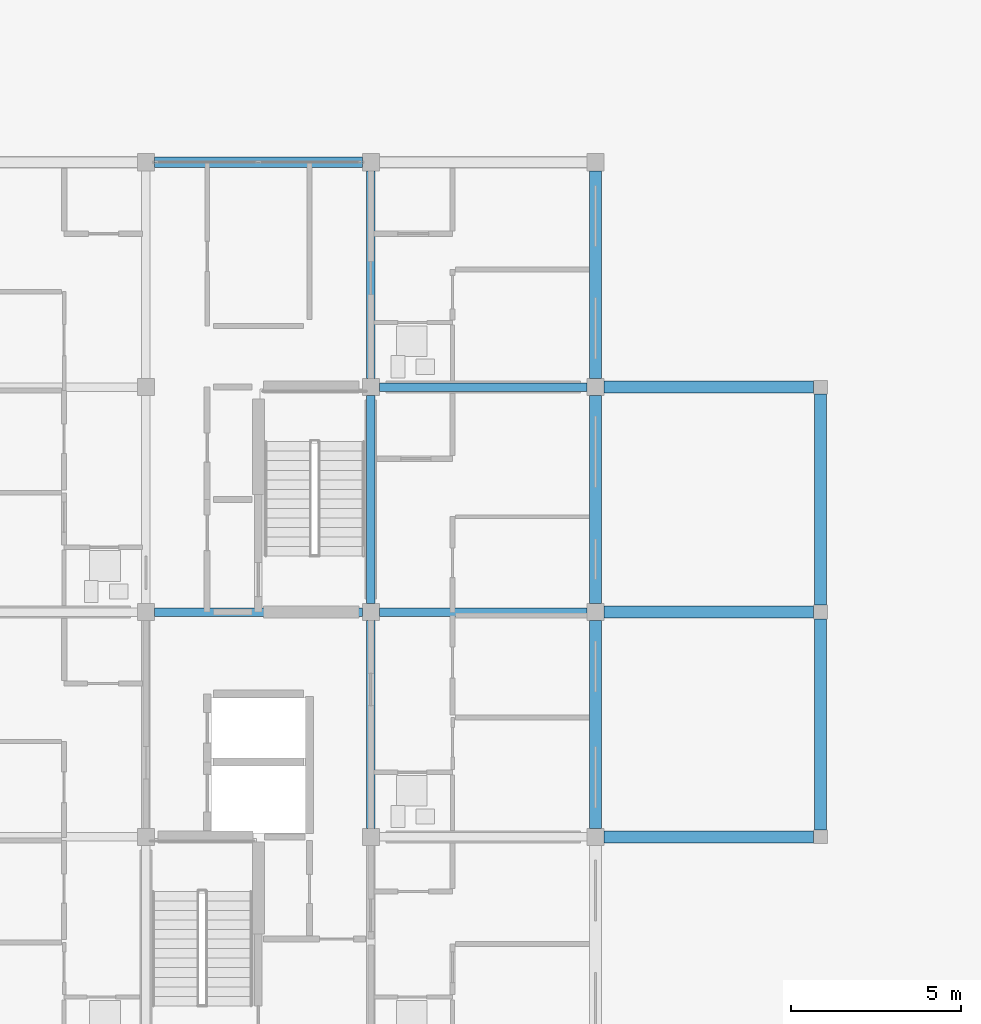
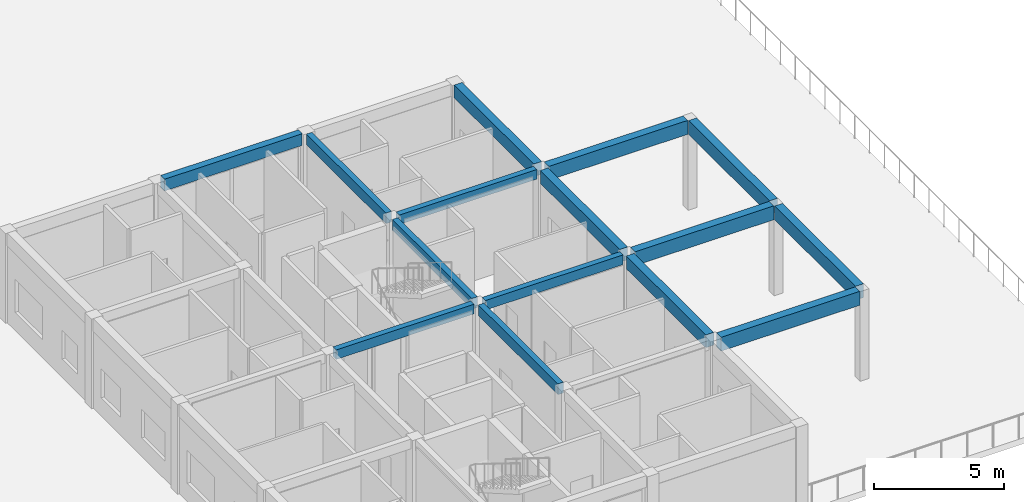
# One storey, part 44 of 92: 15 beams.
"""IFC4 building model written with IfcOpenShell, lengths in metres."""

from ifc_helpers import new_model, si_unit, direction, frame, origin, origin_2d, place, context, subcontext, project, spatial, rectangle, extrude, material, material_profile, profile_set, type_object, element, save


model = new_model("IFC4")

# Units and contexts
model_context = context("Model", 3, precision=1e-05, world=origin(), true_north=direction((0.0, 1.0)))
body_context = subcontext(model_context, "Body", "Model", "MODEL_VIEW")
ifc_project = project(units=[si_unit("LENGTHUNIT", "METRE"), si_unit("AREAUNIT", "SQUARE_METRE"), si_unit("VOLUMEUNIT", "CUBIC_METRE"), si_unit("PLANEANGLEUNIT", "RADIAN"), si_unit("MASSUNIT", "GRAM", prefix="KILO")], contexts=[model_context])

# Site, building, storey
site_placement = place(None, origin())
site = spatial("IfcSite", under=ifc_project, at=site_placement, CompositionType="ELEMENT")
building_placement = place(site_placement, origin())
building = spatial("IfcBuilding", under=site, at=building_placement, Name="Kernevlak Ridge Housing Community", CompositionType="ELEMENT")
storey_placement = place(building_placement, frame((0.0, 0.0, 4.199951171875)))
storey = spatial("IfcBuildingStorey", under=building, at=storey_placement, Name="L01", CompositionType="ELEMENT", Elevation=4.199951171875)

# Beams
ifc_material = material(Name="Concrete C35/45", Category="concrete")
ifc_material_profile_1 = material_profile(ifc_material, rectangle(XDim=0.35009765625, YDim=0.64990234375, at=origin_2d()), Name="RC 350x650")
ifc_profile_set_1 = profile_set([ifc_material_profile_1], Name="Concrete C35/45")
beam_type_1 = type_object("IfcBeamType", Name="B-02", PredefinedType="BEAM", material=ifc_profile_set_1)
for number, where, z_axis, x_axis, name in (
    (1, (146.050048828125, 22.199951171875, 3.875), (1.0, 0.0, 0.0), (0.0, 1.0, 0.0), "Beam B-02 L01 2402"),
    (2, (146.050048828125, 28.800048828125, 3.875), (1.0, 0.0, 0.0), (0.0, 1.0, 0.0), "Beam B-02 L01 2403"),
    (3, (146.050048828125, 35.39990234375, 3.875), (1.0, 0.0, 0.0), (0.0, 1.0, 0.0), "Beam B-02 L01 2404"),
):
    element("IfcBeam", number, at=place(storey_placement, frame(where, z_axis=z_axis, x_axis=x_axis)), inside=storey, type_object=beam_type_1, Name=name, PredefinedType="BEAM", context=body_context, shape_type="SweptSolid", body=[
        extrude(rectangle(XDim=0.35009765625, YDim=0.64990234375, at=origin_2d()), origin(), (0.0, 0.0, 1.0), 6.14990234375),
    ])
beam_1_placement = place(storey_placement, frame((152.39990234375, 22.39990234375, 3.875), z_axis=(0.0, 1.0, 0.0), x_axis=(-1.0, 0.0, 0.0)))
element("IfcBeam", 4, at=beam_1_placement, inside=storey, type_object=beam_type_1, Name="Beam B-02 L01 2457", PredefinedType="BEAM", context=body_context, shape_type="SweptSolid", body=[
    extrude(rectangle(XDim=0.35009765625, YDim=0.64990234375, at=origin_2d()), origin(), (0.0, 0.0, 1.0), 6.2001953125),
])
beam_2_placement = place(storey_placement, frame((152.39990234375, 29.0, 3.875), z_axis=(0.0, 1.0, 0.0), x_axis=(-1.0, 0.0, 0.0)))
element("IfcBeam", 5, at=beam_2_placement, inside=storey, type_object=beam_type_1, Name="Beam B-02 L01 2458", PredefinedType="BEAM", context=body_context, shape_type="SweptSolid", body=[
    extrude(rectangle(XDim=0.35009765625, YDim=0.64990234375, at=origin_2d()), origin(), (0.0, 0.0, 1.0), 6.199951171875),
])
ifc_material_profile_2 = material_profile(ifc_material, rectangle(XDim=0.25, YDim=0.449951171875, at=origin_2d()), Name="RC 250x450")
ifc_profile_set_2 = profile_set([ifc_material_profile_2], Name="Concrete C35/45")
beam_type_2 = type_object("IfcBeamType", Name="B-04", PredefinedType="T_BEAM", material=ifc_profile_set_2)
beam_3_placement = place(storey_placement, frame((132.85009765625, 28.800048828125, 3.97509765625), z_axis=(1.0, 0.0, 0.0), x_axis=(0.0, 1.0, 0.0)))
element("IfcBeam", 6, at=beam_3_placement, inside=storey, type_object=beam_type_2, Name="Beam B-04 L01 1039", PredefinedType="T_BEAM", context=body_context, shape_type="SweptSolid", body=[
    extrude(rectangle(XDim=0.25, YDim=0.449951171875, at=origin_2d()), origin(), (0.0, 0.0, 1.0), 6.099853515625),
])
for number, where, z_axis, x_axis, name in (
    (7, (139.449951171875, 28.800048828125, 3.97509765625), (1.0, 0.0, 0.0), (0.0, 1.0, 0.0), "Beam B-04 L01 1040"),
    (8, (139.449951171875, 35.39990234375, 3.97509765625), (1.0, 0.0, 0.0), (0.0, 1.0, 0.0), "Beam B-04 L01 1042"),
):
    element("IfcBeam", number, at=place(storey_placement, frame(where, z_axis=z_axis, x_axis=x_axis)), inside=storey, type_object=beam_type_2, Name=name, PredefinedType="T_BEAM", context=body_context, shape_type="SweptSolid", body=[
        extrude(rectangle(XDim=0.25, YDim=0.449951171875, at=origin_2d()), origin(), (0.0, 0.0, 1.0), 6.10009765625),
    ])
ifc_material_profile_3 = material_profile(ifc_material, rectangle(XDim=0.25, YDim=0.5, at=origin_2d()), Name="RC 250x500")
ifc_profile_set_3 = profile_set([ifc_material_profile_3], Name="Concrete C35/45")
beam_type_3 = type_object("IfcBeamType", Name="B-06", PredefinedType="T_BEAM", material=ifc_profile_set_3)
beam_4_placement = place(storey_placement, frame((139.199951171875, 22.449951171875, 3.949951171875), z_axis=(0.0, 1.0, 0.0), x_axis=(-1.0, 0.0, 0.0)))
element("IfcBeam", 9, at=beam_4_placement, inside=storey, type_object=beam_type_3, Name="Beam B-06 L01 1026", PredefinedType="T_BEAM", context=body_context, shape_type="SweptSolid", body=[
    extrude(rectangle(XDim=0.25, YDim=0.5, at=origin_2d()), origin(), (0.0, 0.0, 1.0), 6.10009765625),
])
beam_5_placement = place(storey_placement, frame((139.199951171875, 29.050048828125, 3.949951171875), z_axis=(0.0, 1.0, 0.0), x_axis=(-1.0, 0.0, 0.0)))
element("IfcBeam", 10, at=beam_5_placement, inside=storey, type_object=beam_type_3, Name="Beam B-06 L01 1027", PredefinedType="T_BEAM", context=body_context, shape_type="SweptSolid", body=[
    extrude(rectangle(XDim=0.25, YDim=0.5, at=origin_2d()), origin(), (0.0, 0.0, 1.0), 6.099853515625),
])
beam_6_placement = place(storey_placement, frame((139.199951171875, 35.64990234375, 3.949951171875), z_axis=(0.0, 1.0, 0.0), x_axis=(-1.0, 0.0, 0.0)))
element("IfcBeam", 11, at=beam_6_placement, inside=storey, type_object=beam_type_3, Name="Beam B-06 L01 1028", PredefinedType="T_BEAM", context=body_context, shape_type="SweptSolid", body=[
    extrude(rectangle(XDim=0.25, YDim=0.5, at=origin_2d()), origin(), (0.0, 0.0, 1.0), 6.10009765625),
])
ifc_material_profile_4 = material_profile(ifc_material, rectangle(XDim=0.300048828125, YDim=0.550048828125, at=origin_2d()), Name="RC 300x550")
ifc_profile_set_4 = profile_set([ifc_material_profile_4], Name="Concrete C35/45")
beam_type_4 = type_object("IfcBeamType", Name="SP-01", PredefinedType="SPANDREL", material=ifc_profile_set_4)
beam_7_placement = place(storey_placement, frame((132.85009765625, 42.0, 3.925048828125), z_axis=(1.0, 0.0, 0.0), x_axis=(0.0, 1.0, 0.0)))
element("IfcBeam", 12, at=beam_7_placement, inside=storey, type_object=beam_type_4, Name="Beam SP-01 L01 1044", PredefinedType="SPANDREL", context=body_context, shape_type="SweptSolid", body=[
    extrude(rectangle(XDim=0.300048828125, YDim=0.550048828125, at=origin_2d()), origin(), (0.0, 0.0, 1.0), 6.099853515625),
])
ifc_material_profile_5 = material_profile(ifc_material, rectangle(XDim=0.35009765625, YDim=0.60009765625, at=origin_2d()), Name="RC 350x600")
ifc_profile_set_5 = profile_set([ifc_material_profile_5], Name="Concrete C35/45")
beam_type_5 = type_object("IfcBeamType", Name="SP-03", PredefinedType="SPANDREL", material=ifc_profile_set_5)
beam_8_placement = place(storey_placement, frame((145.800048828125, 22.449951171875, 3.900146484375), z_axis=(0.0, 1.0, 0.0), x_axis=(-1.0, 0.0, 0.0)))
element("IfcBeam", 13, at=beam_8_placement, inside=storey, type_object=beam_type_5, Name="Beam SP-03 L01 1030", PredefinedType="SPANDREL", context=body_context, shape_type="SweptSolid", body=[
    extrude(rectangle(XDim=0.35009765625, YDim=0.60009765625, at=origin_2d()), origin(), (0.0, 0.0, 1.0), 6.10009765625),
])
beam_9_placement = place(storey_placement, frame((145.800048828125, 29.050048828125, 3.900146484375), z_axis=(0.0, 1.0, 0.0), x_axis=(-1.0, 0.0, 0.0)))
element("IfcBeam", 14, at=beam_9_placement, inside=storey, type_object=beam_type_5, Name="Beam SP-03 L01 1031", PredefinedType="SPANDREL", context=body_context, shape_type="SweptSolid", body=[
    extrude(rectangle(XDim=0.35009765625, YDim=0.60009765625, at=origin_2d()), origin(), (0.0, 0.0, 1.0), 6.099853515625),
])
beam_10_placement = place(storey_placement, frame((145.800048828125, 35.64990234375, 3.900146484375), z_axis=(0.0, 1.0, 0.0), x_axis=(-1.0, 0.0, 0.0)))
element("IfcBeam", 15, at=beam_10_placement, inside=storey, type_object=beam_type_5, Name="Beam SP-03 L01 1032", PredefinedType="SPANDREL", context=body_context, shape_type="SweptSolid", body=[
    extrude(rectangle(XDim=0.35009765625, YDim=0.60009765625, at=origin_2d()), origin(), (0.0, 0.0, 1.0), 6.10009765625),
])

save(model, "model.ifc")
